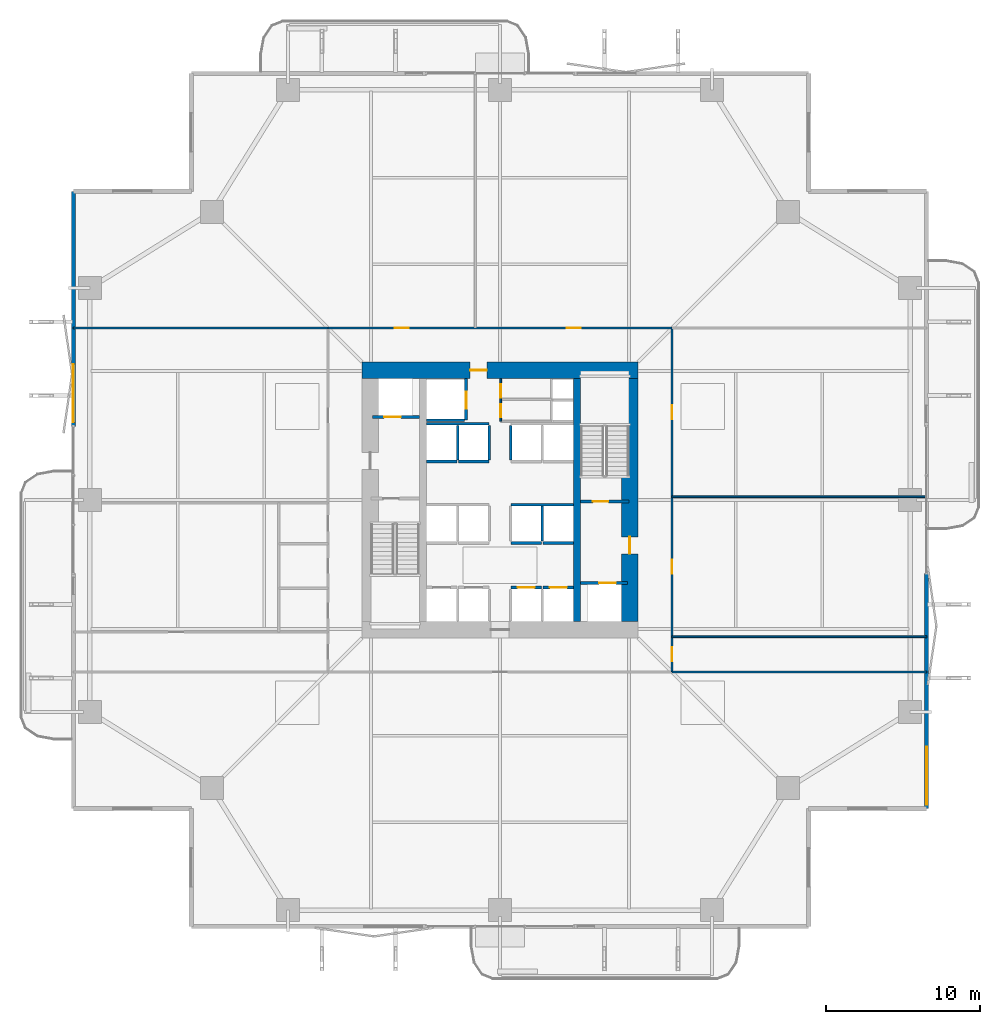
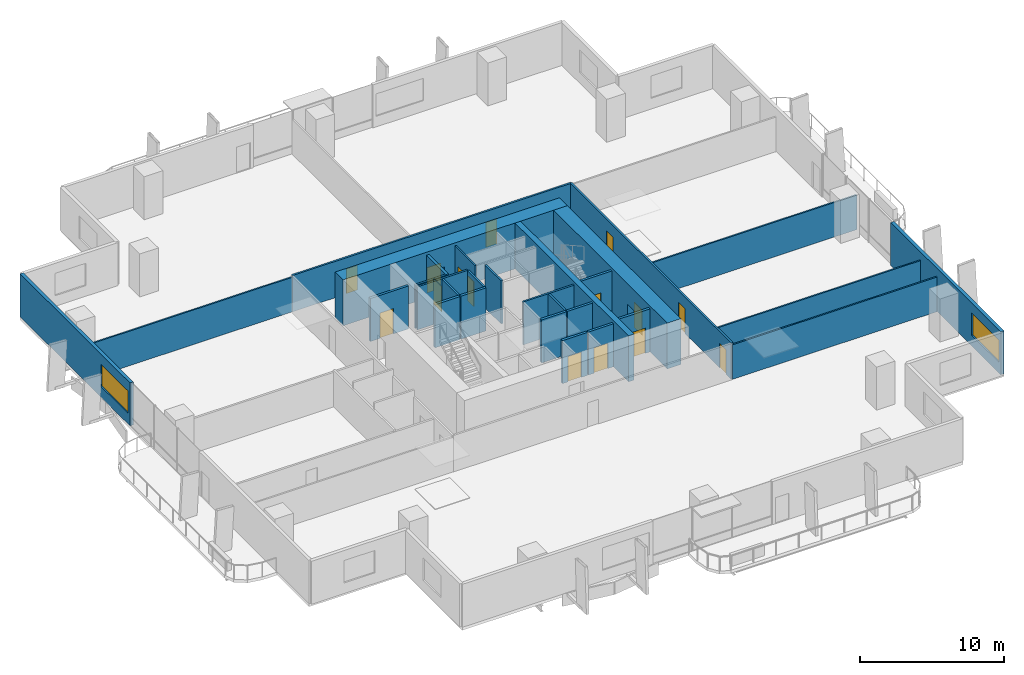
# One storey, part 18 of 23: 29 walls, 15 doors, 2 windows, 17 openings.
"""IFC4 building model written with IfcOpenShell, lengths in metres."""

from ifc_helpers import new_model, si_unit, direction, frame, frame_2d, origin, place, context, subcontext, project, spatial, rectangle, extrude, material, layer, layer_set, type_object, element, fill, save


model = new_model("IFC4")

# Units and contexts
model_context = context("Model", 3, precision=1e-05, world=origin(), true_north=direction((0.0, 1.0)))
body_context = subcontext(model_context, "Body", "Model", "MODEL_VIEW")
ifc_project = project(units=[si_unit("LENGTHUNIT", "METRE"), si_unit("AREAUNIT", "SQUARE_METRE"), si_unit("VOLUMEUNIT", "CUBIC_METRE"), si_unit("PLANEANGLEUNIT", "RADIAN"), si_unit("MASSUNIT", "GRAM", prefix="KILO")], contexts=[model_context])

# Site, building, storey
site_placement = place(None, origin())
site = spatial("IfcSite", under=ifc_project, at=site_placement, CompositionType="ELEMENT")
building_placement = place(site_placement, origin())
building = spatial("IfcBuilding", under=site, at=building_placement, Name="Belovzor Exchange Tower", CompositionType="ELEMENT")
storey_placement = place(building_placement, frame((0.0, 0.0, 57.300048828125)))
storey = spatial("IfcBuildingStorey", under=building, at=storey_placement, Name="L13", CompositionType="ELEMENT", Elevation=57.300048828125)

# Walls
ifc_material_1 = material(Name="Acoustic Plasterboard on Galvanised Studs", Category="gypsum")
ifc_layer_1 = layer(ifc_material_1, 0.1201171875)
ifc_layer_set_1 = layer_set([ifc_layer_1], Name="Acoustic Plasterboard on Galvanised Studs")
wall_type_1 = type_object("IfcWallType", Name="Acoustic Double-Stud Partition Wall 120", PredefinedType="PARTITIONING", material=ifc_layer_set_1)
for number, where, z_axis, x_axis, name in (
    (1, (40.0, 17.60009765625, 0.0), (0.0, 0.0, 1.0), (1.0, 0.0, 0.0), "W-P120 Partition Wall W-L13-END-SE"),
    (2, (1.030029296875, 40.0, 0.0), (0.0, 0.0, 1.0), (1.0, 0.0, 0.0), "W-P120 Partition Wall W-L13-END-NW"),
    (3, (40.0, 19.89990234375, 0.0), (0.0, 0.0, 1.0), (1.0, 0.0, 0.0), "W-P120 Partition Wall W-L13-EDIV-1"),
    (4, (40.0, 29.008056640625, 0.0), (0.0, 0.0, 1.0), (1.0, 0.0, 0.0), "W-P120 Partition Wall W-L13-EDIV-2"),
):
    element("IfcWall", number, at=place(storey_placement, frame(where, z_axis=z_axis, x_axis=x_axis)), inside=storey, type_object=wall_type_1, Name=name, PredefinedType="PARTITIONING", context=body_context, shape_type="SweptSolid", body=[
        extrude(rectangle(XDim=16.570068359375, YDim=0.1201171875, at=frame_2d((8.28515625, 0.0))), origin(), (0.0, 0.0, 1.0), 2.93505859375),
    ])

# Wall, openings, doors
ifc_material_2 = material(Name="Fire-Rated Plasterboard on Galvanised Studs", Category="gypsum")
ifc_layer_2 = layer(ifc_material_2, 0.1201171875)
ifc_layer_set_2 = layer_set([ifc_layer_2], Name="Fire-Rated Plasterboard on Galvanised Studs")
wall_type_2 = type_object("IfcWallType", Name="Fire-Rated Double-Stud Partition Wall 120", PredefinedType="PARTITIONING", material=ifc_layer_set_2)
wall_1_placement = place(storey_placement, frame((28.85009765625, 33.925048828125, 0.0), z_axis=(0.0, 0.0, 1.0), x_axis=(0.0, 1.0, 0.0)))
wall_1 = element("IfcWall", 5, at=wall_1_placement, inside=storey, type_object=wall_type_2, Name="W-P120F Partition Wall W-CRV-L13-W", PredefinedType="PARTITIONING", context=body_context, shape_type="SweptSolid", body=[
    extrude(rectangle(XDim=2.77490234375, YDim=0.1201171875, at=frame_2d((1.387451171875, 0.0))), origin(), (0.0, 0.0, 1.0), 3.64990234375),
])
opening_1_placement = place(wall_1_placement, frame((0.25, 0.0, 0.0)))
opening_1 = element("IfcOpeningElement", 6, at=opening_1_placement, cuts=wall_1, Name="Opening D-FD60-085", PredefinedType="OPENING", context=body_context, shape_type="SweptSolid", body=[
    extrude(rectangle(XDim=0.85009765625, YDim=2.10009765625, at=frame_2d((0.425048828125, 1.050048828125))), frame((0.0, 0.070068359375, 0.0), z_axis=(0.0, -1.0, 0.0), x_axis=(1.0, 0.0, 0.0)), (0.0, 0.0, 1.0), 0.14013671875),
])
opening_2_placement = place(wall_1_placement, frame((1.544921875, 0.0, 0.0)))
opening_2 = element("IfcOpeningElement", 7, at=opening_2_placement, cuts=wall_1, Name="Opening D-FD60-085", PredefinedType="OPENING", context=body_context, shape_type="SweptSolid", body=[
    extrude(rectangle(XDim=0.85009765625, YDim=2.10009765625, at=frame_2d((0.425048828125, 1.050048828125))), frame((0.0, 0.070068359375, 0.0), z_axis=(0.0, -1.0, 0.0), x_axis=(1.0, 0.0, 0.0)), (0.0, 0.0, 1.0), 0.14013671875),
])
ifc_material_3 = material(Name="Fire-Rated Steel Access Leaf", Category="steel")
door_type_1 = type_object("IfcDoorType", Name="Riser & Meter Closet Access Fire Door 850x2100", OperationType="NOTDEFINED", PredefinedType="DOOR", material=ifc_material_3)
door_1_placement = place(opening_1_placement, origin())
door_1 = element("IfcDoor", 8, at=door_1_placement, inside=storey, type_object=door_type_1, Name="D-FD60-085 Riser & Meter Closet Access Fire Door 850x2100", OperationType="SINGLE_SWING_LEFT", OverallHeight=2.10009765625, OverallWidth=0.85009765625, PredefinedType="DOOR", context=body_context, shape_type="SweptSolid", body=[
    extrude(rectangle(XDim=0.85009765625, YDim=2.10009765625, at=frame_2d((0.425048828125, 1.050048828125))), frame((0.0, 0.02490234375, 0.0), z_axis=(0.0, -1.0, 0.0), x_axis=(1.0, 0.0, 0.0)), (0.0, 0.0, 1.0), 0.050048828125),
])
fill(opening_1, door_1)
door_2_placement = place(opening_2_placement, origin())
door_2 = element("IfcDoor", 9, at=door_2_placement, inside=storey, type_object=door_type_1, Name="D-FD60-085 Riser & Meter Closet Access Fire Door 850x2100", OperationType="SINGLE_SWING_RIGHT", OverallHeight=2.10009765625, OverallWidth=0.85009765625, PredefinedType="DOOR", context=body_context, shape_type="SweptSolid", body=[
    extrude(rectangle(XDim=0.85009765625, YDim=2.10009765625, at=frame_2d((0.425048828125, 1.050048828125))), frame((0.0, 0.02490234375, 0.0), z_axis=(0.0, -1.0, 0.0), x_axis=(1.0, 0.0, 0.0)), (0.0, 0.0, 1.0), 0.050048828125),
])
fill(opening_2, door_2)

ifc_material_4 = material(Name="Fire-Rated Gypsum Block and Mineral Wool", Category="gypsum")
ifc_layer_3 = layer(ifc_material_4, 0.14990234375)
ifc_layer_set_3 = layer_set([ifc_layer_3], Name="Fire-Rated Gypsum Block and Mineral Wool")
wall_type_3 = type_object("IfcWallType", Name="Fire-Rated Gypsum Block Corridor Wall 150", PredefinedType="PARTITIONING", material=ifc_layer_set_3)
wall_2_placement = place(storey_placement, frame((17.60009765625, 40.0, 0.0), z_axis=(0.0, 0.0, 1.0), x_axis=(1.0, 0.0, 0.0)))
wall_2 = element("IfcWall", 10, at=wall_2_placement, inside=storey, type_object=wall_type_3, Name="W-P150 Partition Wall W-L13-CN", PredefinedType="PARTITIONING", context=body_context, shape_type="SweptSolid", body=[
    extrude(rectangle(XDim=22.39990234375, YDim=0.14990234375, at=frame_2d((11.199951171875, 0.0))), origin(), (0.0, 0.0, 1.0), 3.0849609375),
])
opening_3_placement = place(wall_2_placement, frame((4.34912109375, 0.0, 0.0)))
opening_3 = element("IfcOpeningElement", 11, at=opening_3_placement, cuts=wall_2, Name="Opening D-INT-090", PredefinedType="OPENING", context=body_context, shape_type="SweptSolid", body=[
    extrude(rectangle(XDim=0.89990234375, YDim=2.10009765625, at=frame_2d((0.449951171875, 1.050048828125))), frame((0.0, 0.0849609375, 0.0), z_axis=(0.0, -1.0, 0.0), x_axis=(1.0, 0.0, 0.0)), (0.0, 0.0, 1.0), 0.169921875),
])
opening_4_placement = place(wall_2_placement, frame((15.549072265625, 0.0, 0.0)))
opening_4 = element("IfcOpeningElement", 12, at=opening_4_placement, cuts=wall_2, Name="Opening D-INT-090", PredefinedType="OPENING", context=body_context, shape_type="SweptSolid", body=[
    extrude(rectangle(XDim=0.89990234375, YDim=2.10009765625, at=frame_2d((0.449951171875, 1.050048828125))), frame((0.0, 0.0849609375, 0.0), z_axis=(0.0, -1.0, 0.0), x_axis=(1.0, 0.0, 0.0)), (0.0, 0.0, 1.0), 0.169921875),
])
ifc_material_5 = material(Name="Veneered Hardwood Acoustic Leaf", Category="wood")
door_type_2 = type_object("IfcDoorType", Name="Trading Suite Acoustic Single Door 900x2100", OperationType="NOTDEFINED", PredefinedType="DOOR", material=ifc_material_5)
door_3_placement = place(opening_3_placement, origin())
door_3 = element("IfcDoor", 13, at=door_3_placement, inside=storey, type_object=door_type_2, Name="D-INT-090 Trading Suite Acoustic Single Door 900x2100", OperationType="SINGLE_SWING_RIGHT", OverallHeight=2.10009765625, OverallWidth=0.89990234375, PredefinedType="DOOR", context=body_context, shape_type="SweptSolid", body=[
    extrude(rectangle(XDim=0.89990234375, YDim=2.10009765625, at=frame_2d((0.449951171875, 1.050048828125))), frame((0.0, 0.02490234375, 0.0), z_axis=(0.0, -1.0, 0.0), x_axis=(1.0, 0.0, 0.0)), (0.0, 0.0, 1.0), 0.050048828125),
])
fill(opening_3, door_3)
door_4_placement = place(opening_4_placement, origin())
door_4 = element("IfcDoor", 14, at=door_4_placement, inside=storey, type_object=door_type_2, Name="D-INT-090 Trading Suite Acoustic Single Door 900x2100", OperationType="SINGLE_SWING_LEFT", OverallHeight=2.10009765625, OverallWidth=0.89990234375, PredefinedType="DOOR", context=body_context, shape_type="SweptSolid", body=[
    extrude(rectangle(XDim=0.89990234375, YDim=2.10009765625, at=frame_2d((0.449951171875, 1.050048828125))), frame((0.0, 0.02490234375, 0.0), z_axis=(0.0, -1.0, 0.0), x_axis=(1.0, 0.0, 0.0)), (0.0, 0.0, 1.0), 0.050048828125),
])
fill(opening_4, door_4)

wall_3_placement = place(storey_placement, frame((40.0, 17.60009765625, 0.0), z_axis=(0.0, 0.0, 1.0), x_axis=(0.0, 1.0, 0.0)))
wall_3 = element("IfcWall", 15, at=wall_3_placement, inside=storey, type_object=wall_type_3, Name="W-P150 Partition Wall W-L13-CE", PredefinedType="PARTITIONING", context=body_context, shape_type="SweptSolid", body=[
    extrude(rectangle(XDim=22.39990234375, YDim=0.14990234375, at=frame_2d((11.199951171875, 0.0))), origin(), (0.0, 0.0, 1.0), 3.0849609375),
])
opening_5_placement = place(wall_3_placement, frame((0.699951171875, 0.0, 0.0)))
opening_5 = element("IfcOpeningElement", 16, at=opening_5_placement, cuts=wall_3, Name="Opening D-INT-090", PredefinedType="OPENING", context=body_context, shape_type="SweptSolid", body=[
    extrude(rectangle(XDim=0.89990234375, YDim=2.10009765625, at=frame_2d((0.449951171875, 1.050048828125))), frame((0.0, 0.0849609375, 0.0), z_axis=(0.0, -1.0, 0.0), x_axis=(1.0, 0.0, 0.0)), (0.0, 0.0, 1.0), 0.169921875),
])
opening_6_placement = place(wall_3_placement, frame((6.404052734375, 0.0, 0.0)))
opening_6 = element("IfcOpeningElement", 17, at=opening_6_placement, cuts=wall_3, Name="Opening D-INT-090", PredefinedType="OPENING", context=body_context, shape_type="SweptSolid", body=[
    extrude(rectangle(XDim=0.89990234375, YDim=2.10009765625, at=frame_2d((0.449951171875, 1.050048828125))), frame((0.0, 0.0849609375, 0.0), z_axis=(0.0, -1.0, 0.0), x_axis=(1.0, 0.0, 0.0)), (0.0, 0.0, 1.0), 0.169921875),
])
opening_7_placement = place(wall_3_placement, frame((16.4541015625, 0.0, 0.0)))
opening_7 = element("IfcOpeningElement", 18, at=opening_7_placement, cuts=wall_3, Name="Opening D-INT-090", PredefinedType="OPENING", context=body_context, shape_type="SweptSolid", body=[
    extrude(rectangle(XDim=0.89990234375, YDim=2.10009765625, at=frame_2d((0.449951171875, 1.050048828125))), frame((0.0, 0.0849609375, 0.0), z_axis=(0.0, -1.0, 0.0), x_axis=(1.0, 0.0, 0.0)), (0.0, 0.0, 1.0), 0.169921875),
])
door_5_placement = place(opening_5_placement, origin())
door_5 = element("IfcDoor", 19, at=door_5_placement, inside=storey, type_object=door_type_2, Name="D-INT-090 Trading Suite Acoustic Single Door 900x2100", OperationType="SINGLE_SWING_RIGHT", OverallHeight=2.10009765625, OverallWidth=0.89990234375, PredefinedType="DOOR", context=body_context, shape_type="SweptSolid", body=[
    extrude(rectangle(XDim=0.89990234375, YDim=2.10009765625, at=frame_2d((0.449951171875, 1.050048828125))), frame((0.0, 0.02490234375, 0.0), z_axis=(0.0, -1.0, 0.0), x_axis=(1.0, 0.0, 0.0)), (0.0, 0.0, 1.0), 0.050048828125),
])
fill(opening_5, door_5)
door_6_placement = place(opening_6_placement, origin())
door_6 = element("IfcDoor", 20, at=door_6_placement, inside=storey, type_object=door_type_2, Name="D-INT-090 Trading Suite Acoustic Single Door 900x2100", OperationType="SINGLE_SWING_LEFT", OverallHeight=2.10009765625, OverallWidth=0.89990234375, PredefinedType="DOOR", context=body_context, shape_type="SweptSolid", body=[
    extrude(rectangle(XDim=0.89990234375, YDim=2.10009765625, at=frame_2d((0.449951171875, 1.050048828125))), frame((0.0, 0.02490234375, 0.0), z_axis=(0.0, -1.0, 0.0), x_axis=(1.0, 0.0, 0.0)), (0.0, 0.0, 1.0), 0.050048828125),
])
fill(opening_6, door_6)
door_7_placement = place(opening_7_placement, origin())
door_7 = element("IfcDoor", 21, at=door_7_placement, inside=storey, type_object=door_type_2, Name="D-INT-090 Trading Suite Acoustic Single Door 900x2100", OperationType="SINGLE_SWING_RIGHT", OverallHeight=2.10009765625, OverallWidth=0.89990234375, PredefinedType="DOOR", context=body_context, shape_type="SweptSolid", body=[
    extrude(rectangle(XDim=0.89990234375, YDim=2.10009765625, at=frame_2d((0.449951171875, 1.050048828125))), frame((0.0, 0.02490234375, 0.0), z_axis=(0.0, -1.0, 0.0), x_axis=(1.0, 0.0, 0.0)), (0.0, 0.0, 1.0), 0.050048828125),
])
fill(opening_7, door_7)

# Wall, opening, window
ifc_material_6 = material(Name="Precast concrete C40/50", Category="concrete")
ifc_layer_4 = layer(ifc_material_6, 0.260009765625)
ifc_layer_set_4 = layer_set([ifc_layer_4], Name="Precast concrete C40/50")
wall_type_4 = type_object("IfcWallType", Name="Precast Concrete Perimeter Loggia Frame Wall 260", PredefinedType="SOLIDWALL", material=ifc_layer_set_4)
wall_4_placement = place(storey_placement, frame((1.030029296875, 33.60009765625, 0.0), z_axis=(0.0, 0.0, 1.0), x_axis=(0.0, 1.0, 0.0)))
wall_4 = element("IfcWall", 22, at=wall_4_placement, inside=storey, type_object=wall_type_4, Name="W-EXT260 Precast Concrete Perimeter Loggia Frame Wall 260 L13", PredefinedType="SOLIDWALL", context=body_context, shape_type="SweptSolid", body=[
    extrude(rectangle(XDim=15.2998046875, YDim=0.260009765625, at=frame_2d((7.64990234375, 0.0))), origin(), (0.0, 0.0, 1.0), 3.64990234375),
])
opening_8_placement = place(wall_4_placement, frame((0.25, 0.0, 0.89990234375)))
opening_8 = element("IfcOpeningElement", 23, at=opening_8_placement, cuts=wall_4, Name="Opening WN-RIB380", PredefinedType="OPENING", context=body_context, shape_type="SweptSolid", body=[
    extrude(rectangle(XDim=3.800048828125, YDim=1.89990234375, at=frame_2d((1.89990234375, 0.949951171875))), frame((0.0, 0.139892578125, 0.0), z_axis=(0.0, -1.0, 0.0), x_axis=(1.0, 0.0, 0.0)), (0.0, 0.0, 1.0), 0.280029296875),
])
ifc_material_7 = material(Name="Thermally Broken Aluminium and Triple Glazing", Category="aluminium")
window_type = type_object("IfcWindowType", Name="Streamline Moderne Horizontal Ribbon Window 3800x1900", PartitioningType="SINGLE_PANEL", PredefinedType="WINDOW", material=ifc_material_7)
window_1_placement = place(opening_8_placement, origin())
window_1 = element("IfcWindow", 24, at=window_1_placement, inside=storey, type_object=window_type, Name="WN-RIB380 Streamline Moderne Horizontal Ribbon Window 3800x1900", OverallHeight=1.89990234375, OverallWidth=3.800048828125, PartitioningType="SINGLE_PANEL", PredefinedType="WINDOW", context=body_context, shape_type="SweptSolid", body=[
    extrude(rectangle(XDim=3.800048828125, YDim=1.89990234375, at=frame_2d((1.89990234375, 0.949951171875))), frame((0.0, 0.030029296875, 0.0), z_axis=(0.0, -1.0, 0.0), x_axis=(1.0, 0.0, 0.0)), (0.0, 0.0, 1.0), 0.06005859375),
])
fill(opening_8, window_1)

wall_5_placement = place(storey_placement, frame((56.570068359375, 24.0, 0.0), z_axis=(0.0, 0.0, 1.0), x_axis=(0.0, -1.0, 0.0)))
wall_5 = element("IfcWall", 25, at=wall_5_placement, inside=storey, type_object=wall_type_4, Name="W-EXT260 Precast Concrete Perimeter Loggia Frame Wall 260 L13", PredefinedType="SOLIDWALL", context=body_context, shape_type="SweptSolid", body=[
    extrude(rectangle(XDim=15.300048828125, YDim=0.260009765625, at=frame_2d((7.64990234375, 0.0))), origin(), (0.0, 0.0, 1.0), 3.64990234375),
])
opening_9_placement = place(wall_5_placement, frame((11.25, 0.0, 0.89990234375)))
opening_9 = element("IfcOpeningElement", 26, at=opening_9_placement, cuts=wall_5, Name="Opening WN-RIB380", PredefinedType="OPENING", context=body_context, shape_type="SweptSolid", body=[
    extrude(rectangle(XDim=3.800048828125, YDim=1.89990234375, at=frame_2d((1.89990234375, 0.949951171875))), frame((0.0, 0.139892578125, 0.0), z_axis=(0.0, -1.0, 0.0), x_axis=(1.0, 0.0, 0.0)), (0.0, 0.0, 1.0), 0.280029296875),
])
window_2_placement = place(opening_9_placement, origin())
window_2 = element("IfcWindow", 27, at=window_2_placement, inside=storey, type_object=window_type, Name="WN-RIB380 Streamline Moderne Horizontal Ribbon Window 3800x1900", OverallHeight=1.89990234375, OverallWidth=3.800048828125, PartitioningType="SINGLE_PANEL", PredefinedType="WINDOW", context=body_context, shape_type="SweptSolid", body=[
    extrude(rectangle(XDim=3.800048828125, YDim=1.89990234375, at=frame_2d((1.89990234375, 0.949951171875))), frame((0.0, 0.030029296875, 0.0), z_axis=(0.0, -1.0, 0.0), x_axis=(1.0, 0.0, 0.0)), (0.0, 0.0, 1.0), 0.06005859375),
])
fill(opening_9, window_2)

# Walls
ifc_material_8 = material(Name="Concrete C50/60", Category="concrete")
ifc_layer_5 = layer(ifc_material_8, 0.449951171875)
ifc_layer_set_5 = layer_set([ifc_layer_5], Name="Concrete C50/60")
wall_type_5 = type_object("IfcWallType", Name="Reinforced Concrete Core Internal Web Wall 450", PredefinedType="SHEAR", material=ifc_layer_set_5)
wall_6_placement = place(storey_placement, frame((33.824951171875, 20.89990234375, 0.0), z_axis=(0.0, 0.0, 1.0), x_axis=(0.0, 1.0, 0.0)))
element("IfcWall", 28, at=wall_6_placement, inside=storey, type_object=wall_type_5, Name="CW-W045 Core Internal Web Wall L13 ER", PredefinedType="SHEAR", context=body_context, shape_type="SweptSolid", body=[
    extrude(rectangle(XDim=15.800048828125, YDim=0.449951171875, at=frame_2d((7.89990234375, 0.0))), origin(), (0.0, 0.0, 1.0), 3.89990234375),
])
ifc_material_9 = material(Name="Concrete C50/60", Category="concrete")
ifc_layer_6 = layer(ifc_material_9, 0.14990234375)
ifc_layer_set_6 = layer_set([ifc_layer_6], Name="Concrete C50/60")
wall_type_6 = type_object("IfcWallType", Name="Reinforced Concrete Core Riser Shear Wall 150", PredefinedType="SHEAR", material=ifc_layer_set_6)
wall_7_placement = place(storey_placement, frame((24.0, 34.0, 0.0), z_axis=(0.0, 0.0, 1.0), x_axis=(1.0, 0.0, 0.0)))
element("IfcWall", 29, at=wall_7_placement, inside=storey, type_object=wall_type_6, Name="W-C150S Core Shaft Wall W-SH-L13-SL-01S", PredefinedType="SHEAR", context=body_context, shape_type="SweptSolid", body=[
    extrude(rectangle(XDim=2.47998046875, YDim=0.14990234375, at=frame_2d((1.239990234375, 0.0))), origin(), (0.0, 0.0, 1.0), 3.64990234375),
])
wall_8_placement = place(storey_placement, frame((29.5, 28.5, 0.0), z_axis=(0.0, 0.0, 1.0), x_axis=(1.0, 0.0, 0.0)))
element("IfcWall", 30, at=wall_8_placement, inside=storey, type_object=wall_type_6, Name="W-C150S Core Shaft Wall W-SHB-L13-PLM-NE", PredefinedType="SHEAR", context=body_context, shape_type="SweptSolid", body=[
    extrude(rectangle(XDim=4.080078125, YDim=0.14990234375, at=frame_2d((2.0400390625, 0.0))), origin(), (0.0, 0.0, 1.0), 3.64990234375),
])
wall_9_placement = place(storey_placement, frame((31.550048828125, 26.1201171875, 0.0), z_axis=(0.0, 0.0, 1.0), x_axis=(0.0, 1.0, 0.0)))
element("IfcWall", 31, at=wall_9_placement, inside=storey, type_object=wall_type_6, Name="W-C150S Core Shaft Wall W-SHD-L13-PLM-4", PredefinedType="SHEAR", context=body_context, shape_type="SweptSolid", body=[
    extrude(rectangle(XDim=2.27978515625, YDim=0.14990234375, at=frame_2d((1.139892578125, 0.0))), origin(), (0.0, 0.0, 1.0), 3.64990234375),
])
wall_10_placement = place(storey_placement, frame((24.02001953125, 33.760009765625, 0.0), z_axis=(0.0, 0.0, 1.0), x_axis=(1.0, 0.0, 0.0)))
element("IfcWall", 32, at=wall_10_placement, inside=storey, type_object=wall_type_6, Name="W-C150S Core Shaft Wall W-SHB-L13-PLH-NW", PredefinedType="SHEAR", context=body_context, shape_type="SweptSolid", body=[
    extrude(rectangle(XDim=4.080078125, YDim=0.14990234375, at=frame_2d((2.0400390625, 0.0))), origin(), (0.0, 0.0, 1.0), 3.64990234375),
])
for number, where, z_axis, x_axis, name in (
    (33, (26.050048828125, 31.419921875, 0.0), (0.0, 0.0, 1.0), (0.0, 1.0, 0.0), "W-C150S Core Shaft Wall W-SHD-L13-PLH-1"),
    (34, (28.10009765625, 31.419921875, 0.0), (0.0, 0.0, 1.0), (0.0, 1.0, 0.0), "W-C150S Core Shaft Wall W-SHD-L13-PLH-2"),
    (35, (29.5, 31.419921875, 0.0), (0.0, 0.0, 1.0), (0.0, 1.0, 0.0), "W-C150S Core Shaft Wall W-SHD-L13-PLH-3"),
):
    element("IfcWall", number, at=place(storey_placement, frame(where, z_axis=z_axis, x_axis=x_axis)), inside=storey, type_object=wall_type_6, Name=name, PredefinedType="SHEAR", context=body_context, shape_type="SweptSolid", body=[
        extrude(rectangle(XDim=2.239990234375, YDim=0.14990234375, at=frame_2d((1.1201171875, 0.0))), origin(), (0.0, 0.0, 1.0), 3.64990234375),
    ])

# Wall, opening, door
ifc_material_10 = material(Name="Concrete C50/60", Category="concrete")
ifc_layer_7 = layer(ifc_material_10, 0.199951171875)
ifc_layer_set_7 = layer_set([ifc_layer_7], Name="Concrete C50/60")
wall_type_7 = type_object("IfcWallType", Name="Reinforced Concrete Core Shaft Shear Wall 200", PredefinedType="SHEAR", material=ifc_layer_set_7)
wall_11_placement = place(storey_placement, frame((34.050048828125, 28.699951171875, 0.0), z_axis=(0.0, 0.0, 1.0), x_axis=(1.0, 0.0, 0.0)))
wall_11 = element("IfcWall", 36, at=wall_11_placement, inside=storey, type_object=wall_type_7, Name="W-C200S Core Shaft Wall W-CORE-L13-FFLE2", PredefinedType="SHEAR", context=body_context, shape_type="SweptSolid", body=[
    extrude(rectangle(XDim=3.14990234375, YDim=0.199951171875, at=frame_2d((1.574951171875, 0.0))), origin(), (0.0, 0.0, 1.0), 3.64990234375),
])
opening_10_placement = place(wall_11_placement, frame((0.800048828125, 0.0, 0.0)))
opening_10 = element("IfcOpeningElement", 37, at=opening_10_placement, cuts=wall_11, Name="Opening D-FD90-100", PredefinedType="OPENING", context=body_context, shape_type="SweptSolid", body=[
    extrude(rectangle(XDim=1.0, YDim=2.10009765625, at=frame_2d((0.5, 1.050048828125))), frame((0.0, 0.10986328125, 0.0), z_axis=(0.0, -1.0, 0.0), x_axis=(1.0, 0.0, 0.0)), (0.0, 0.0, 1.0), 0.219970703125),
])
ifc_material_11 = material(Name="Fire-Rated Galvanised Steel Leaf", Category="steel")
door_type_3 = type_object("IfcDoorType", Name="Protected Stairwell Single Fire Door 1000x2100", OperationType="NOTDEFINED", PredefinedType="DOOR", material=ifc_material_11)
door_8_placement = place(opening_10_placement, origin())
door_8 = element("IfcDoor", 38, at=door_8_placement, inside=storey, type_object=door_type_3, Name="D-FD90-100 Protected Stairwell Single Fire Door 1000x2100", OperationType="SINGLE_SWING_LEFT", OverallHeight=2.10009765625, OverallWidth=1.0, PredefinedType="DOOR", context=body_context, shape_type="SweptSolid", body=[
    extrude(rectangle(XDim=1.0, YDim=2.10009765625, at=frame_2d((0.5, 1.050048828125))), frame((0.0, 0.02490234375, 0.0), z_axis=(0.0, -1.0, 0.0), x_axis=(1.0, 0.0, 0.0)), (0.0, 0.0, 1.0), 0.050048828125),
])
fill(opening_10, door_8)

wall_12_placement = place(storey_placement, frame((20.5, 34.199951171875, 0.0), z_axis=(0.0, 0.0, 1.0), x_axis=(1.0, 0.0, 0.0)))
wall_12 = element("IfcWall", 39, at=wall_12_placement, inside=storey, type_object=wall_type_7, Name="W-C200S Core Shaft Wall W-SH-L13-FFL-01", PredefinedType="SHEAR", context=body_context, shape_type="SweptSolid", body=[
    extrude(rectangle(XDim=3.050048828125, YDim=0.199951171875, at=frame_2d((1.52490234375, 0.0))), origin(), (0.0, 0.0, 1.0), 3.64990234375),
])
opening_11_placement = place(wall_12_placement, frame((0.75, 0.0, 0.0)))
opening_11 = element("IfcOpeningElement", 40, at=opening_11_placement, cuts=wall_12, Name="Opening LD-110", PredefinedType="OPENING", context=body_context, shape_type="SweptSolid", body=[
    extrude(rectangle(XDim=1.10009765625, YDim=2.14990234375, at=frame_2d((0.550048828125, 1.074951171875))), frame((0.0, 0.10986328125, 0.0), z_axis=(0.0, -1.0, 0.0), x_axis=(1.0, 0.0, 0.0)), (0.0, 0.0, 1.0), 0.219970703125),
])
ifc_material_12 = material(Name="Stainless Steel Grade 304", Category="steel")
door_type_4 = type_object("IfcDoorType", Name="Automated Stainless Steel Lift Landing Door 1100x2150", OperationType="SLIDING_TO_RIGHT", PredefinedType="DOOR", material=ifc_material_12)
door_9_placement = place(opening_11_placement, origin())
door_9 = element("IfcDoor", 41, at=door_9_placement, inside=storey, type_object=door_type_4, Name="LD-110 Automated Stainless Steel Lift Landing Door 1100x2150", OperationType="SLIDING_TO_RIGHT", OverallHeight=2.14990234375, OverallWidth=1.10009765625, PredefinedType="DOOR", context=body_context, shape_type="SweptSolid", body=[
    extrude(rectangle(XDim=1.10009765625, YDim=2.14990234375, at=frame_2d((0.550048828125, 1.074951171875))), frame((0.0, 0.02490234375, 0.0), z_axis=(0.0, -1.0, 0.0), x_axis=(1.0, 0.0, 0.0)), (0.0, 0.0, 1.0), 0.050048828125),
])
fill(opening_11, door_9)

wall_13_placement = place(storey_placement, frame((34.050048828125, 23.39990234375, 0.0), z_axis=(0.0, 0.0, 1.0), x_axis=(1.0, 0.0, 0.0)))
wall_13 = element("IfcWall", 42, at=wall_13_placement, inside=storey, type_object=wall_type_7, Name="W-C200S Core Shaft Wall W-SH-L13-FFL-02", PredefinedType="SHEAR", context=body_context, shape_type="SweptSolid", body=[
    extrude(rectangle(XDim=3.050048828125, YDim=0.199951171875, at=frame_2d((1.52490234375, 0.0))), origin(), (0.0, 0.0, 1.0), 3.64990234375),
])
opening_12_placement = place(wall_13_placement, frame((1.199951171875, 0.0, 0.0)))
opening_12 = element("IfcOpeningElement", 43, at=opening_12_placement, cuts=wall_13, Name="Opening LD-110", PredefinedType="OPENING", context=body_context, shape_type="SweptSolid", body=[
    extrude(rectangle(XDim=1.10009765625, YDim=2.14990234375, at=frame_2d((0.550048828125, 1.074951171875))), frame((0.0, 0.10986328125, 0.0), z_axis=(0.0, -1.0, 0.0), x_axis=(1.0, 0.0, 0.0)), (0.0, 0.0, 1.0), 0.219970703125),
])
door_10_placement = place(opening_12_placement, origin())
door_10 = element("IfcDoor", 44, at=door_10_placement, inside=storey, type_object=door_type_4, Name="LD-110 Automated Stainless Steel Lift Landing Door 1100x2150", OperationType="SLIDING_TO_RIGHT", OverallHeight=2.14990234375, OverallWidth=1.10009765625, PredefinedType="DOOR", context=body_context, shape_type="SweptSolid", body=[
    extrude(rectangle(XDim=1.10009765625, YDim=2.14990234375, at=frame_2d((0.550048828125, 1.074951171875))), frame((0.0, 0.02490234375, 0.0), z_axis=(0.0, -1.0, 0.0), x_axis=(1.0, 0.0, 0.0)), (0.0, 0.0, 1.0), 0.050048828125),
])
fill(opening_12, door_10)

wall_14_placement = place(storey_placement, frame((26.60009765625, 34.0, 0.0), z_axis=(0.0, 0.0, 1.0), x_axis=(0.0, 1.0, 0.0)))
wall_14 = element("IfcWall", 45, at=wall_14_placement, inside=storey, type_object=wall_type_7, Name="W-C200S Core Shaft Wall W-SH-L13-SL-01", PredefinedType="SHEAR", context=body_context, shape_type="SweptSolid", body=[
    extrude(rectangle(XDim=2.699951171875, YDim=0.199951171875, at=frame_2d((1.35009765625, 0.0))), origin(), (0.0, 0.0, 1.0), 3.64990234375),
])
opening_13_placement = place(wall_14_placement, frame((0.75, 0.0, 0.0)))
opening_13 = element("IfcOpeningElement", 46, at=opening_13_placement, cuts=wall_14, Name="Opening LD-110", PredefinedType="OPENING", context=body_context, shape_type="SweptSolid", body=[
    extrude(rectangle(XDim=1.10009765625, YDim=2.14990234375, at=frame_2d((0.550048828125, 1.074951171875))), frame((0.0, 0.10986328125, 0.0), z_axis=(0.0, -1.0, 0.0), x_axis=(1.0, 0.0, 0.0)), (0.0, 0.0, 1.0), 0.219970703125),
])
door_11_placement = place(opening_13_placement, origin())
door_11 = element("IfcDoor", 47, at=door_11_placement, inside=storey, type_object=door_type_4, Name="LD-110 Automated Stainless Steel Lift Landing Door 1100x2150", OperationType="SLIDING_TO_RIGHT", OverallHeight=2.14990234375, OverallWidth=1.10009765625, PredefinedType="DOOR", context=body_context, shape_type="SweptSolid", body=[
    extrude(rectangle(XDim=1.10009765625, YDim=2.14990234375, at=frame_2d((0.550048828125, 1.074951171875))), frame((0.0, 0.02490234375, 0.0), z_axis=(0.0, -1.0, 0.0), x_axis=(1.0, 0.0, 0.0)), (0.0, 0.0, 1.0), 0.050048828125),
])
fill(opening_13, door_11)

wall_15_placement = place(storey_placement, frame((29.5, 23.10009765625, 0.0), z_axis=(0.0, 0.0, 1.0), x_axis=(1.0, 0.0, 0.0)))
wall_15 = element("IfcWall", 48, at=wall_15_placement, inside=storey, type_object=wall_type_7, Name="W-C200S Core Shaft Wall W-SH-L13-PL-L3", PredefinedType="SHEAR", context=body_context, shape_type="SweptSolid", body=[
    extrude(rectangle(XDim=2.0, YDim=0.199951171875, at=frame_2d((1.0, 0.0))), origin(), (0.0, 0.0, 1.0), 3.64990234375),
])
opening_14_placement = place(wall_15_placement, frame((0.449951171875, 0.0, 0.0)))
opening_14 = element("IfcOpeningElement", 49, at=opening_14_placement, cuts=wall_15, Name="Opening LD-110", PredefinedType="OPENING", context=body_context, shape_type="SweptSolid", body=[
    extrude(rectangle(XDim=1.10009765625, YDim=2.14990234375, at=frame_2d((0.550048828125, 1.074951171875))), frame((0.0, 0.10986328125, 0.0), z_axis=(0.0, -1.0, 0.0), x_axis=(1.0, 0.0, 0.0)), (0.0, 0.0, 1.0), 0.219970703125),
])
door_12_placement = place(opening_14_placement, origin())
door_12 = element("IfcDoor", 50, at=door_12_placement, inside=storey, type_object=door_type_4, Name="LD-110 Automated Stainless Steel Lift Landing Door 1100x2150", OperationType="SLIDING_TO_RIGHT", OverallHeight=2.14990234375, OverallWidth=1.10009765625, PredefinedType="DOOR", context=body_context, shape_type="SweptSolid", body=[
    extrude(rectangle(XDim=1.10009765625, YDim=2.14990234375, at=frame_2d((0.550048828125, 1.074951171875))), frame((0.0, 0.02490234375, 0.0), z_axis=(0.0, -1.0, 0.0), x_axis=(1.0, 0.0, 0.0)), (0.0, 0.0, 1.0), 0.050048828125),
])
fill(opening_14, door_12)

wall_16_placement = place(storey_placement, frame((31.60009765625, 23.10009765625, 0.0), z_axis=(0.0, 0.0, 1.0), x_axis=(1.0, 0.0, 0.0)))
wall_16 = element("IfcWall", 51, at=wall_16_placement, inside=storey, type_object=wall_type_7, Name="W-C200S Core Shaft Wall W-SH-L13-PL-L4", PredefinedType="SHEAR", context=body_context, shape_type="SweptSolid", body=[
    extrude(rectangle(XDim=2.0, YDim=0.199951171875, at=frame_2d((1.0, 0.0))), origin(), (0.0, 0.0, 1.0), 3.64990234375),
])
opening_15_placement = place(wall_16_placement, frame((0.449951171875, 0.0, 0.0)))
opening_15 = element("IfcOpeningElement", 52, at=opening_15_placement, cuts=wall_16, Name="Opening LD-110", PredefinedType="OPENING", context=body_context, shape_type="SweptSolid", body=[
    extrude(rectangle(XDim=1.10009765625, YDim=2.14990234375, at=frame_2d((0.550048828125, 1.074951171875))), frame((0.0, 0.10986328125, 0.0), z_axis=(0.0, -1.0, 0.0), x_axis=(1.0, 0.0, 0.0)), (0.0, 0.0, 1.0), 0.219970703125),
])
door_13_placement = place(opening_15_placement, origin())
door_13 = element("IfcDoor", 53, at=door_13_placement, inside=storey, type_object=door_type_4, Name="LD-110 Automated Stainless Steel Lift Landing Door 1100x2150", OperationType="SLIDING_TO_RIGHT", OverallHeight=2.14990234375, OverallWidth=1.10009765625, PredefinedType="DOOR", context=body_context, shape_type="SweptSolid", body=[
    extrude(rectangle(XDim=1.10009765625, YDim=2.14990234375, at=frame_2d((0.550048828125, 1.074951171875))), frame((0.0, 0.02490234375, 0.0), z_axis=(0.0, -1.0, 0.0), x_axis=(1.0, 0.0, 0.0)), (0.0, 0.0, 1.0), 0.050048828125),
])
fill(opening_15, door_13)

# Walls
for number, where, z_axis, x_axis, name in (
    (54, (29.5, 26.0, 0.0), (0.0, 0.0, 1.0), (1.0, 0.0, 0.0), "W-C200S Core Shaft Wall W-SH-L13-PL-M3"),
    (55, (31.60009765625, 26.0, 0.0), (0.0, 0.0, 1.0), (1.0, 0.0, 0.0), "W-C200S Core Shaft Wall W-SH-L13-PL-M4"),
    (56, (24.0, 31.300048828125, 0.0), (0.0, 0.0, 1.0), (1.0, 0.0, 0.0), "W-C200S Core Shaft Wall W-SH-L13-PL-H1"),
    (57, (26.10009765625, 31.300048828125, 0.0), (0.0, 0.0, 1.0), (1.0, 0.0, 0.0), "W-C200S Core Shaft Wall W-SH-L13-PL-H2"),
):
    element("IfcWall", number, at=place(storey_placement, frame(where, z_axis=z_axis, x_axis=x_axis)), inside=storey, type_object=wall_type_7, Name=name, PredefinedType="SHEAR", context=body_context, shape_type="SweptSolid", body=[
        extrude(rectangle(XDim=2.0, YDim=0.199951171875, at=frame_2d((1.0, 0.0))), origin(), (0.0, 0.0, 1.0), 3.64990234375),
    ])

# Wall, opening, door
ifc_material_13 = material(Name="Concrete C60/75", Category="concrete")
ifc_layer_8 = layer(ifc_material_13, 1.10009765625)
ifc_layer_set_8 = layer_set([ifc_layer_8], Name="Concrete C60/75")
wall_type_8 = type_object("IfcWallType", Name="Reinforced Concrete Core Shear Wall 1100", PredefinedType="SHEAR", material=ifc_layer_set_8)
wall_17_placement = place(storey_placement, frame((19.800048828125, 37.25, 0.0), z_axis=(0.0, 0.0, 1.0), x_axis=(1.0, 0.0, 0.0)))
wall_17 = element("IfcWall", 58, at=wall_17_placement, inside=storey, type_object=wall_type_8, Name="CW-S110 Core Shear Wall L13 N", PredefinedType="SHEAR", context=body_context, shape_type="SweptSolid", body=[
    extrude(rectangle(XDim=18.0, YDim=1.10009765625, at=frame_2d((9.0, 0.0))), origin(), (0.0, 0.0, 1.0), 3.89990234375),
])
opening_16_placement = place(wall_17_placement, frame((7.050048828125, 0.0, 0.0)))
opening_16 = element("IfcOpeningElement", 59, at=opening_16_placement, cuts=wall_17, Name="Opening D-FD90-110", PredefinedType="OPENING", context=body_context, shape_type="SweptSolid", body=[
    extrude(rectangle(XDim=1.10009765625, YDim=2.14990234375, at=frame_2d((0.550048828125, 1.074951171875))), frame((0.0, 0.56005859375, 0.0), z_axis=(0.0, -1.0, 0.0), x_axis=(1.0, 0.0, 0.0)), (0.0, 0.0, 1.0), 1.1201171875),
])
ifc_material_14 = material(Name="Fire-Rated Galvanised Steel Leaf", Category="steel")
door_type_5 = type_object("IfcDoorType", Name="Protected Escape Vestibule Fire Door 1100x2150", OperationType="NOTDEFINED", PredefinedType="DOOR", material=ifc_material_14)
door_14_placement = place(opening_16_placement, origin())
door_14 = element("IfcDoor", 60, at=door_14_placement, inside=storey, type_object=door_type_5, Name="D-FD90-110 Protected Escape Vestibule Fire Door 1100x2150", OperationType="SINGLE_SWING_RIGHT", OverallHeight=2.14990234375, OverallWidth=1.10009765625, PredefinedType="DOOR", context=body_context, shape_type="SweptSolid", body=[
    extrude(rectangle(XDim=1.10009765625, YDim=2.14990234375, at=frame_2d((0.550048828125, 1.074951171875))), frame((0.0, 0.02490234375, 0.0), z_axis=(0.0, -1.0, 0.0), x_axis=(1.0, 0.0, 0.0)), (0.0, 0.0, 1.0), 0.050048828125),
])
fill(opening_16, door_14)

wall_18_placement = place(storey_placement, frame((37.25, 20.89990234375, 0.0), z_axis=(0.0, 0.0, 1.0), x_axis=(0.0, 1.0, 0.0)))
wall_18 = element("IfcWall", 61, at=wall_18_placement, inside=storey, type_object=wall_type_8, Name="CW-S110 Core Shear Wall L13 E", PredefinedType="SHEAR", context=body_context, shape_type="SweptSolid", body=[
    extrude(rectangle(XDim=15.800048828125, YDim=1.10009765625, at=frame_2d((7.89990234375, 0.0))), origin(), (0.0, 0.0, 1.0), 3.89990234375),
])
opening_17_placement = place(wall_18_placement, frame((4.39990234375, 0.0, 0.0)))
opening_17 = element("IfcOpeningElement", 62, at=opening_17_placement, cuts=wall_18, Name="Opening D-FD90-110", PredefinedType="OPENING", context=body_context, shape_type="SweptSolid", body=[
    extrude(rectangle(XDim=1.10009765625, YDim=2.14990234375, at=frame_2d((0.550048828125, 1.074951171875))), frame((0.0, 0.56005859375, 0.0), z_axis=(0.0, -1.0, 0.0), x_axis=(1.0, 0.0, 0.0)), (0.0, 0.0, 1.0), 1.1201171875),
])
door_15_placement = place(opening_17_placement, origin())
door_15 = element("IfcDoor", 63, at=door_15_placement, inside=storey, type_object=door_type_5, Name="D-FD90-110 Protected Escape Vestibule Fire Door 1100x2150", OperationType="SINGLE_SWING_RIGHT", OverallHeight=2.14990234375, OverallWidth=1.10009765625, PredefinedType="DOOR", context=body_context, shape_type="SweptSolid", body=[
    extrude(rectangle(XDim=1.10009765625, YDim=2.14990234375, at=frame_2d((0.550048828125, 1.074951171875))), frame((0.0, 0.02490234375, 0.0), z_axis=(0.0, -1.0, 0.0), x_axis=(1.0, 0.0, 0.0)), (0.0, 0.0, 1.0), 0.050048828125),
])
fill(opening_17, door_15)

save(model, "model.ifc")
